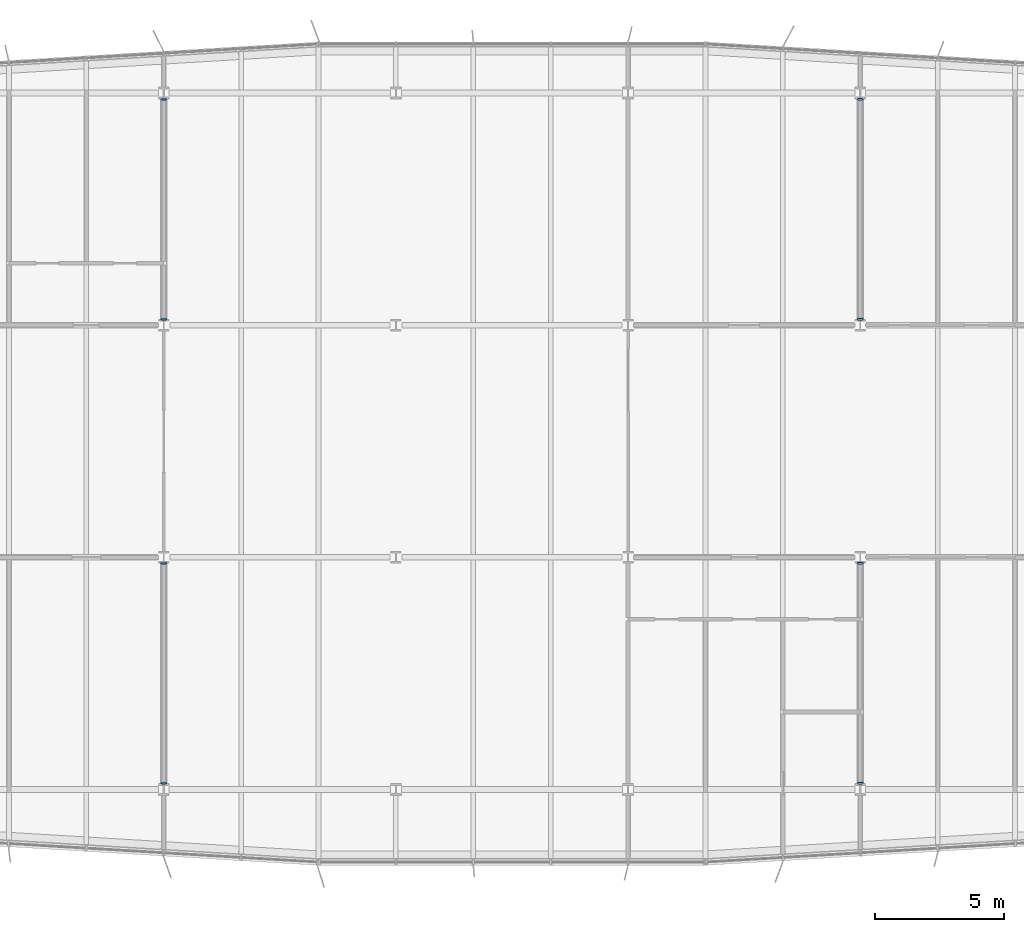
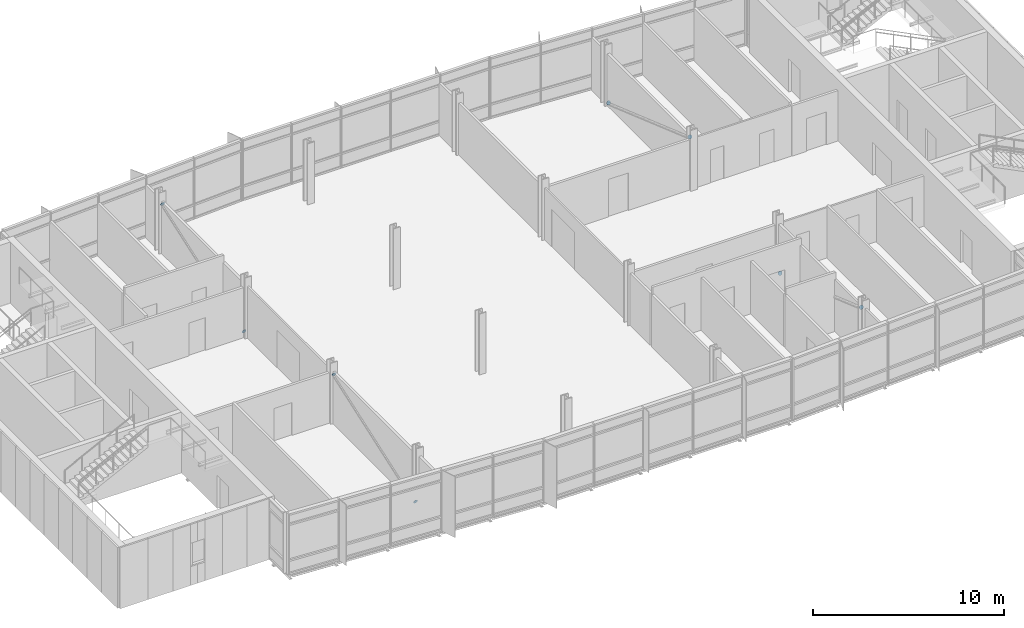
# One storey, part 18 of 21: 8 discrete accessories.
"""IFC4 building model written with IfcOpenShell, lengths in metres."""

from ifc_helpers import new_model, si_unit, direction, frame, origin, origin_2d, place, context, subcontext, project, spatial, circle, extrude, material, material_profile, profile_set, type_object, element, save


model = new_model("IFC4")

# Units and contexts
model_context = context("Model", 3, precision=1e-05, world=origin(), true_north=direction((0.0, 1.0)))
body_context = subcontext(model_context, "Body", "Model", "MODEL_VIEW")
ifc_project = project(units=[si_unit("LENGTHUNIT", "METRE"), si_unit("AREAUNIT", "SQUARE_METRE"), si_unit("VOLUMEUNIT", "CUBIC_METRE"), si_unit("PLANEANGLEUNIT", "RADIAN"), si_unit("MASSUNIT", "GRAM", prefix="KILO")], contexts=[model_context])

# Site, building, storey
site_placement = place(None, origin())
site = spatial("IfcSite", under=ifc_project, at=site_placement, CompositionType="ELEMENT")
building_placement = place(site_placement, origin())
building = spatial("IfcBuilding", under=site, at=building_placement, Name="Azimuth Sports and Learning Centre", CompositionType="ELEMENT")
storey_placement = place(building_placement, frame((0.0, 0.0, 32.39990234375)))
storey = spatial("IfcBuildingStorey", under=building, at=storey_placement, Name="L06", CompositionType="ELEMENT", Elevation=32.39990234375)

# Discrete accessories
ifc_material = material(Name="Steel S355", Category="steel")
ifc_material_profile = material_profile(ifc_material, circle(Radius=0.122314453125, at=origin_2d()), Name="PL 244 DISC")
ifc_profile_set = profile_set([ifc_material_profile], Name="Steel S355")
discrete_accessory_type = type_object("IfcDiscreteAccessoryType", Name="End plate CHS 244.5x12.5", PredefinedType="USERDEFINED", material=ifc_profile_set)
discrete_accessory_1_placement = place(storey_placement, frame((72.0, 90.25732421875, 0.16943359375), z_axis=(0.0, -0.943667134088, -0.330896267797), x_axis=(1.0, 0.0, 0.0)))
element("IfcDiscreteAccessory", 1, at=discrete_accessory_1_placement, inside=storey, type_object=discrete_accessory_type, Name="End plate Tower brace 9 L06 lower end", ObjectType="END PLATE", PredefinedType="USERDEFINED", context=body_context, shape_type="SweptSolid", body=[
    extrude(circle(Radius=0.122314453125, at=origin_2d()), origin(), (0.0, 0.0, 1.0), 0.02001953125),
])
for number, where, z_axis, x_axis, name in (
    (2, (72.0, 98.761962890625, 3.150634765625), (0.0, 0.94498607344, 0.327110563883), (-1.0, 0.0, 0.0), "End plate Tower brace 9 L06 upper end"),
    (3, (72.0, 108.238037109375, 0.16943359375), (0.0, -0.94498607344, -0.327110563883), (1.0, 0.0, 0.0), "End plate Tower brace 9 L06 lower end"),
):
    element("IfcDiscreteAccessory", number, at=place(storey_placement, frame(where, z_axis=z_axis, x_axis=x_axis)), inside=storey, type_object=discrete_accessory_type, Name=name, ObjectType="END PLATE", PredefinedType="USERDEFINED", context=body_context, shape_type="SweptSolid", body=[
        extrude(circle(Radius=0.122314453125, at=origin_2d()), origin(), (0.0, 0.0, 1.0), 0.020263671875),
    ])
discrete_accessory_2_placement = place(storey_placement, frame((72.0, 116.74267578125, 3.150634765625), z_axis=(0.0, 0.943667134088, 0.330896267797), x_axis=(-1.0, 0.0, 0.0)))
element("IfcDiscreteAccessory", 4, at=discrete_accessory_2_placement, inside=storey, type_object=discrete_accessory_type, Name="End plate Tower brace 9 L06 upper end", ObjectType="END PLATE", PredefinedType="USERDEFINED", context=body_context, shape_type="SweptSolid", body=[
    extrude(circle(Radius=0.122314453125, at=origin_2d()), origin(), (0.0, 0.0, 1.0), 0.02001953125),
])
discrete_accessory_3_placement = place(storey_placement, frame((99.0, 98.761962890625, 0.16943359375), z_axis=(0.0, 0.94498607344, -0.327110563883), x_axis=(-1.0, 0.0, 0.0)))
element("IfcDiscreteAccessory", 5, at=discrete_accessory_3_placement, inside=storey, type_object=discrete_accessory_type, Name="End plate Tower brace 12 L06 lower end", ObjectType="END PLATE", PredefinedType="USERDEFINED", context=body_context, shape_type="SweptSolid", body=[
    extrude(circle(Radius=0.122314453125, at=origin_2d()), origin(), (0.0, 0.0, 1.0), 0.020263671875),
])
for number, where, z_axis, x_axis, name in (
    (6, (99.0, 90.25732421875, 3.150634765625), (0.0, -0.943667134088, 0.330896267797), (1.0, 0.0, 0.0), "End plate Tower brace 12 L06 upper end"),
    (7, (99.0, 116.74267578125, 0.16943359375), (0.0, 0.943667134088, -0.330896267797), (-1.0, 0.0, 0.0), "End plate Tower brace 12 L06 lower end"),
):
    element("IfcDiscreteAccessory", number, at=place(storey_placement, frame(where, z_axis=z_axis, x_axis=x_axis)), inside=storey, type_object=discrete_accessory_type, Name=name, ObjectType="END PLATE", PredefinedType="USERDEFINED", context=body_context, shape_type="SweptSolid", body=[
        extrude(circle(Radius=0.122314453125, at=origin_2d()), origin(), (0.0, 0.0, 1.0), 0.02001953125),
    ])
discrete_accessory_4_placement = place(storey_placement, frame((99.0, 108.238037109375, 3.150634765625), z_axis=(0.0, -0.94498607344, 0.327110563883), x_axis=(1.0, 0.0, 0.0)))
element("IfcDiscreteAccessory", 8, at=discrete_accessory_4_placement, inside=storey, type_object=discrete_accessory_type, Name="End plate Tower brace 12 L06 upper end", ObjectType="END PLATE", PredefinedType="USERDEFINED", context=body_context, shape_type="SweptSolid", body=[
    extrude(circle(Radius=0.122314453125, at=origin_2d()), origin(), (0.0, 0.0, 1.0), 0.020263671875),
])

save(model, "model.ifc")
